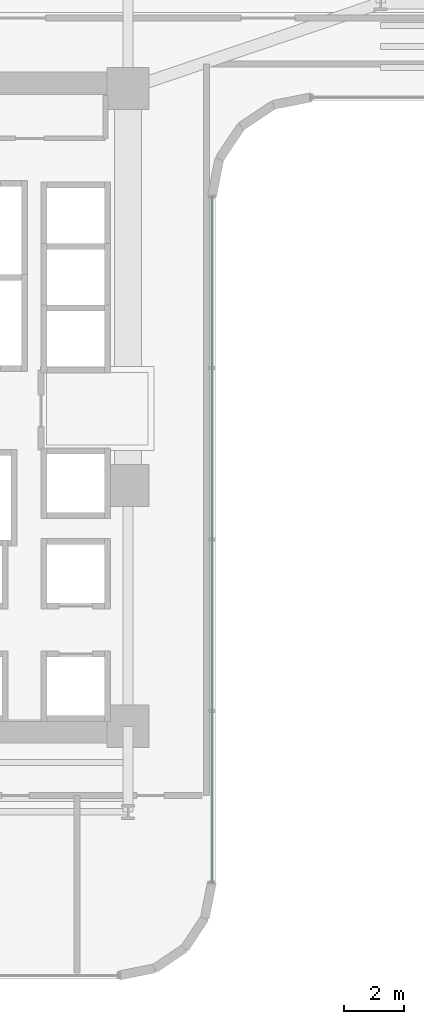
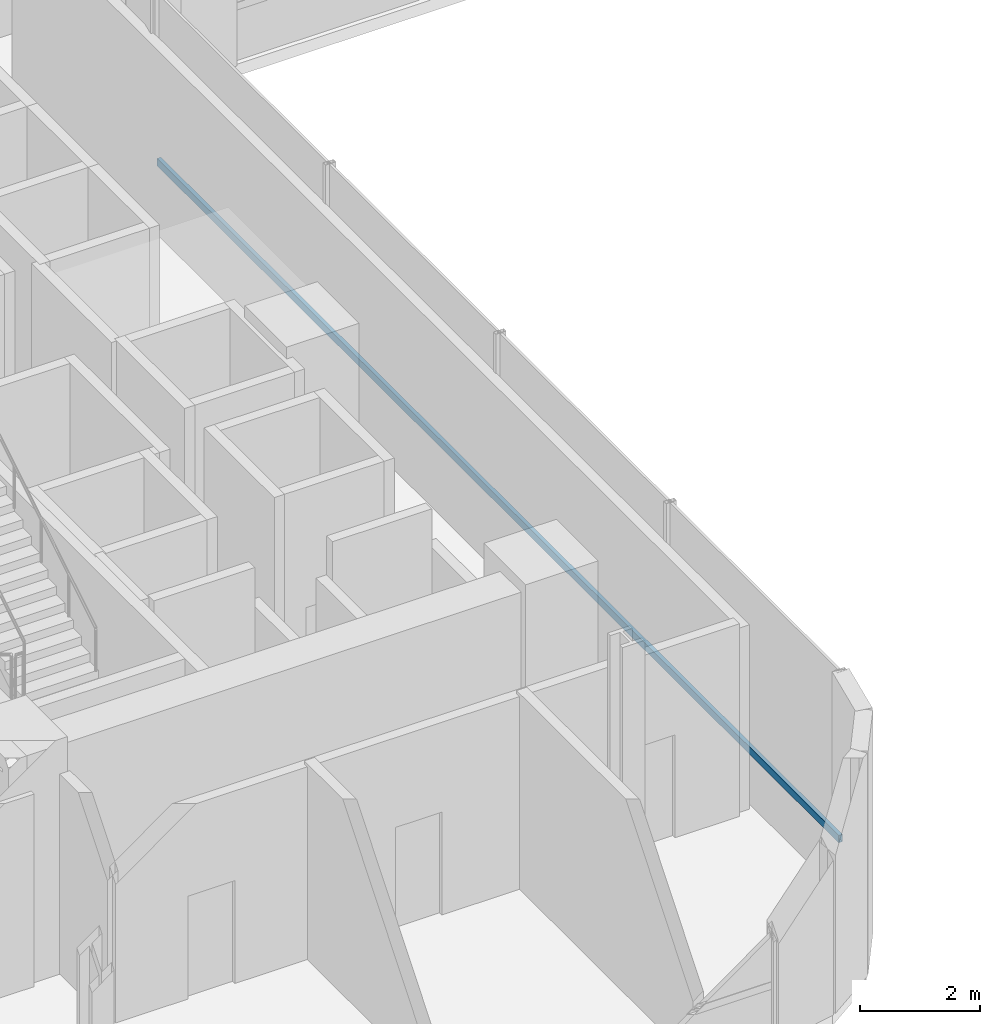
# One storey, part 8 of 39: 1 member, 1 element without a shape of its own.
"""IFC4 building model written with IfcOpenShell, lengths in metres."""

from ifc_helpers import new_model, si_unit, direction, frame, origin, origin_2d, place, context, subcontext, project, spatial, hollow_rectangle, extrude, source, transform, mapped, material, material_profile, profile_set, type_object, element, aggregate, save


model = new_model("IFC4")

# Units and contexts
model_context = context("Model", 3, precision=1e-05, world=origin(), true_north=direction((0.0, 1.0)))
body_context = subcontext(model_context, "Body", "Model", "MODEL_VIEW")
ifc_project = project(units=[si_unit("LENGTHUNIT", "METRE"), si_unit("AREAUNIT", "SQUARE_METRE"), si_unit("VOLUMEUNIT", "CUBIC_METRE"), si_unit("PLANEANGLEUNIT", "RADIAN"), si_unit("MASSUNIT", "GRAM", prefix="KILO")], contexts=[model_context])

# Site, building, storey
site_placement = place(None, origin())
site = spatial("IfcSite", under=ifc_project, at=site_placement, CompositionType="ELEMENT")
building_placement = place(site_placement, origin())
building = spatial("IfcBuilding", under=site, at=building_placement, Name="Valdorenza Pilgrim Sanctuary Tower", CompositionType="ELEMENT")
storey_placement = place(building_placement, frame((0.0, 0.0, 96.300048828125)))
storey = spatial("IfcBuildingStorey", under=building, at=storey_placement, Name="L24", CompositionType="ELEMENT", Elevation=96.300048828125)

# Curtain wall, member
ifc_material_1 = material(Name="Curtain-wall IGU glazing", Category="glass")
curtain_wall_type = type_object("IfcCurtainWallType", Name="CW-SYS-02", PredefinedType="NOTDEFINED", material=ifc_material_1)
curtain_wall_placement = place(storey_placement, origin())
curtain_wall = element("IfcCurtainWall", 1, at=curtain_wall_placement, inside=storey, type_object=curtain_wall_type, Name="L24 Curtain Wall CW-L24-1-41", PredefinedType="NOTDEFINED")
ifc_material_2 = material(Name="Anodised aluminium AW-6060", Category="aluminium")
ifc_material_profile = material_profile(ifc_material_2, hollow_rectangle(XDim=0.074951171875, YDim=0.14990234375, WallThickness=0.00390625, at=origin_2d()), Name="ALU-T 150x75x4")
ifc_profile_set = profile_set([ifc_material_profile], Name="Anodised aluminium AW-6060")
member_type = type_object("IfcMemberType", Name="CW-TRN-02", PredefinedType="USERDEFINED", material=ifc_profile_set)
shared_shape = source(origin(), body_context, "Body", "SweptSolid", [
    extrude(hollow_rectangle(XDim=0.074951171875, YDim=0.14990234375, WallThickness=0.00390625, at=origin_2d()), origin(), (0.0, 0.0, 1.0), 22.800048828125),
])
member_placement = place(storey_placement, frame((-9.610107421875, 7.0107421875, 1.119873046875), z_axis=(0.0, -1.0, 0.0), x_axis=(1.0, 0.0, 0.0)))
member = element("IfcMember", 2, at=member_placement, type_object=member_type, Name="CW-L24-1-41 Transom 1", ObjectType="TRANSOM", PredefinedType="USERDEFINED", context=body_context, shape_type="MappedRepresentation", body=[
    mapped(shared_shape, transform((0.0, 0.0, 0.0), x_axis=(1.0, 0.0, 0.0), y_axis=(0.0, 1.0, 0.0), z_axis=(0.0, 0.0, 1.0), scale=1.0)),
])
aggregate(curtain_wall, [member])

save(model, "model.ifc")
